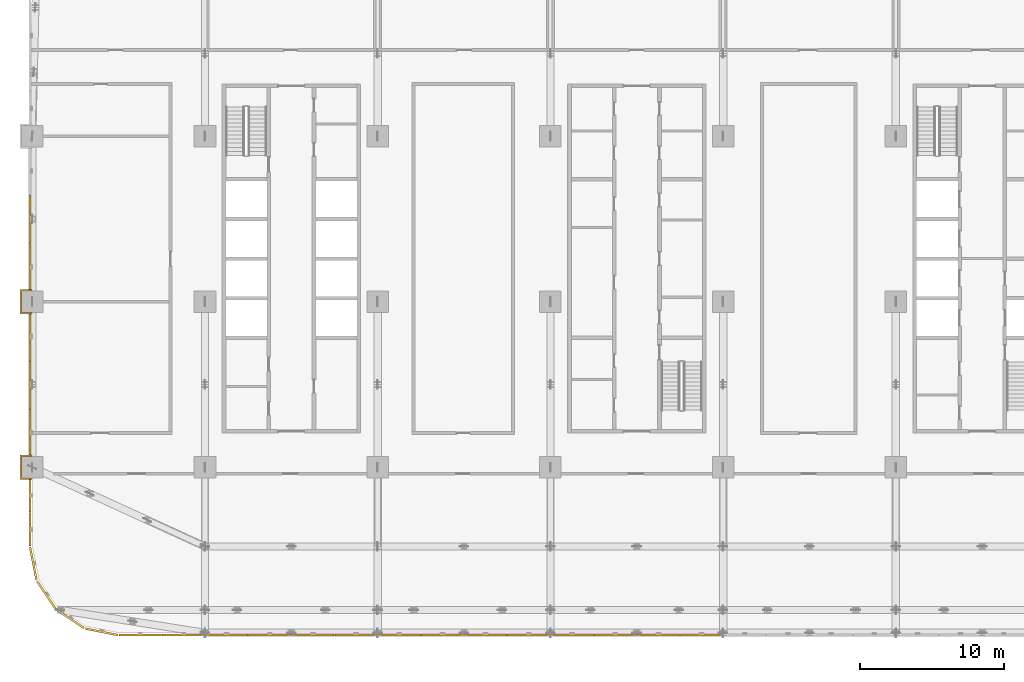
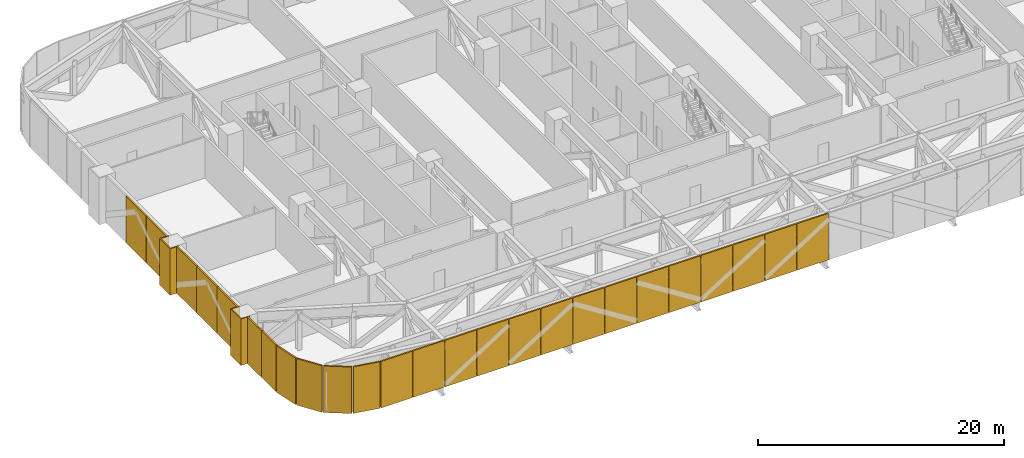
# One storey, part 21 of 26: 27 coverings.
"""IFC4 building model written with IfcOpenShell, lengths in metres."""

from ifc_helpers import new_model, si_unit, direction, frame, origin, origin_2d, place, context, subcontext, project, spatial, polyline, rectangle, outline, extrude, material, layer, layer_set, type_object, element, save


model = new_model("IFC4")

# Units and contexts
model_context = context("Model", 3, precision=1e-05, world=origin(), true_north=direction((0.0, 1.0)))
body_context = subcontext(model_context, "Body", "Model", "MODEL_VIEW")
ifc_project = project(units=[si_unit("LENGTHUNIT", "METRE"), si_unit("AREAUNIT", "SQUARE_METRE"), si_unit("VOLUMEUNIT", "CUBIC_METRE"), si_unit("PLANEANGLEUNIT", "RADIAN"), si_unit("MASSUNIT", "GRAM", prefix="KILO")], contexts=[model_context])

# Site, building, storey
site_placement = place(None, origin())
site = spatial("IfcSite", under=ifc_project, at=site_placement, CompositionType="ELEMENT")
building_placement = place(site_placement, origin())
building = spatial("IfcBuilding", under=site, at=building_placement, Name="Mahtab Terrace Research Tower", CompositionType="ELEMENT")
storey_placement = place(building_placement, frame((0.0, 0.0, 80.39990234375)))
storey = spatial("IfcBuildingStorey", under=building, at=storey_placement, Name="L18", CompositionType="ELEMENT", Elevation=80.39990234375)

# Coverings
ifc_material_1 = material(Name="Dark anodised aluminium cladding", Category="aluminium")
ifc_layer = layer(ifc_material_1, 0.10009765625)
ifc_layer_set = layer_set([ifc_layer], Name="Column casing 100")
covering_type_1 = type_object("IfcCoveringType", Name="Column casing 100", PredefinedType="CLADDING", material=ifc_layer_set)
covering_1_placement = place(storey_placement, frame((0.0, 0.0, -0.5498046875)))
element("IfcCovering", 1, at=covering_1_placement, inside=storey, type_object=covering_type_1, Name="Column casing RC-1A L18", PredefinedType="CLADDING", context=body_context, shape_type="SweptSolid", body=[
    extrude(outline(polyline([(-42.85009765625, -10.64990234375), (-42.0, -10.64990234375), (-42.0, -10.75), (-42.75, -10.75), (-42.75, -12.25), (-42.0, -12.25), (-42.0, -12.35009765625), (-42.85009765625, -12.35009765625), (-42.85009765625, -10.64990234375)])), origin(), (0.0, 0.0, 1.0), 4.60986328125),
])
covering_2_placement = place(storey_placement, frame((0.0, 0.0, -0.5498046875)))
element("IfcCovering", 2, at=covering_2_placement, inside=storey, type_object=covering_type_1, Name="Column casing RC-1B L18", PredefinedType="CLADDING", context=body_context, shape_type="SweptSolid", body=[
    extrude(outline(polyline([(-42.85009765625, 0.85009765625), (-42.0, 0.85009765625), (-42.0, 0.75), (-42.75, 0.75), (-42.75, -0.75), (-42.0, -0.75), (-42.0, -0.85009765625), (-42.85009765625, -0.85009765625), (-42.85009765625, 0.85009765625)])), origin(), (0.0, 0.0, 1.0), 4.60986328125),
])
ifc_material_2 = material(Name="Natural anodised aluminium", Category="aluminium")
covering_type_2 = type_object("IfcCoveringType", Name="Plant storey louvre bay", PredefinedType="CLADDING", material=ifc_material_2)
for number, where, z_axis, x_axis, name in (
    (3, (-42.159912109375, 5.75, -0.5498046875), (0.0, 0.0, 1.0), (0.0, -1.0, 0.0), "Louvre bay L18 44"),
    (4, (-42.159912109375, 2.416748046875, -0.5498046875), (0.0, 0.0, 1.0), (0.0, -1.0, 0.0), "Louvre bay L18 45"),
    (5, (-42.159912109375, -2.416748046875, -0.5498046875), (0.0, 0.0, 1.0), (0.0, -1.0, 0.0), "Louvre bay L18 46"),
    (6, (-42.159912109375, -5.75, -0.5498046875), (0.0, 0.0, 1.0), (0.0, -1.0, 0.0), "Louvre bay L18 47"),
    (7, (-42.159912109375, -9.083251953125, -0.5498046875), (0.0, 0.0, 1.0), (0.0, -1.0, 0.0), "Louvre bay L18 48"),
):
    element("IfcCovering", number, at=place(storey_placement, frame(where, z_axis=z_axis, x_axis=x_axis)), inside=storey, type_object=covering_type_2, Name=name, PredefinedType="CLADDING", context=body_context, shape_type="SweptSolid", body=[
        extrude(rectangle(XDim=3.293212890625, YDim=0.139892578125, at=origin_2d()), origin(), (0.0, 0.0, 1.0), 4.610107421875),
    ])
for number, where, z_axis, x_axis, name in (
    (8, (-42.159912109375, -13.4375, -0.5498046875), (0.0, 0.0, 1.0), (0.0, -1.0, 0.0), "Louvre bay L18 49"),
    (9, (-42.159912109375, -15.8125, -0.5498046875), (0.0, 0.0, 1.0), (0.0, -1.0, 0.0), "Louvre bay L18 50"),
):
    element("IfcCovering", number, at=place(storey_placement, frame(where, z_axis=z_axis, x_axis=x_axis)), inside=storey, type_object=covering_type_2, Name=name, PredefinedType="CLADDING", context=body_context, shape_type="SweptSolid", body=[
        extrude(rectangle(XDim=2.3349609375, YDim=0.139892578125, at=origin_2d()), origin(), (0.0, 0.0, 1.0), 4.610107421875),
    ])
for number, where, z_axis, x_axis, name in (
    (10, (-41.928466796875, -18.17919921875, -0.5498046875), (0.0, 0.0, 1.0), (0.195212442692, -0.980760981187, 0.0), "Louvre bay L18 51"),
    (11, (-41.026123046875, -20.3583984375, -0.5498046875), (0.0, 0.0, 1.0), (0.555291490808, -0.831655794326, 0.0), "Louvre bay L18 52"),
    (12, (-39.3583984375, -22.026123046875, -0.5498046875), (0.0, 0.0, 1.0), (0.831655794326, -0.555291490808, 0.0), "Louvre bay L18 53"),
    (13, (-37.17919921875, -22.928466796875, -0.5498046875), (0.0, 0.0, 1.0), (0.980760981187, -0.195212442692, 0.0), "Louvre bay L18 54"),
):
    element("IfcCovering", number, at=place(storey_placement, frame(where, z_axis=z_axis, x_axis=x_axis)), inside=storey, type_object=covering_type_2, Name=name, PredefinedType="CLADDING", context=body_context, shape_type="SweptSolid", body=[
        extrude(rectangle(XDim=2.301025390625, YDim=0.139892578125, at=origin_2d()), origin(), (0.0, 0.0, 1.0), 4.610107421875),
    ])
for number, where, z_axis, x_axis, name in (
    (14, (-34.5, -23.159912109375, -0.5498046875), (0.0, 0.0, 1.0), (1.0, 0.0, 0.0), "Louvre bay L18 55"),
    (15, (-31.5, -23.159912109375, -0.5498046875), (0.0, 0.0, 1.0), (1.0, 0.0, 0.0), "Louvre bay L18 56"),
    (16, (-28.5, -23.159912109375, -0.5498046875), (0.0, 0.0, 1.0), (1.0, 0.0, 0.0), "Louvre bay L18 57"),
    (17, (-25.5, -23.159912109375, -0.5498046875), (0.0, 0.0, 1.0), (1.0, 0.0, 0.0), "Louvre bay L18 58"),
    (18, (-22.5, -23.159912109375, -0.5498046875), (0.0, 0.0, 1.0), (1.0, 0.0, 0.0), "Louvre bay L18 59"),
    (19, (-19.5, -23.159912109375, -0.5498046875), (0.0, 0.0, 1.0), (1.0, 0.0, 0.0), "Louvre bay L18 60"),
    (20, (-16.5, -23.159912109375, -0.5498046875), (0.0, 0.0, 1.0), (1.0, 0.0, 0.0), "Louvre bay L18 61"),
    (21, (-13.5, -23.159912109375, -0.5498046875), (0.0, 0.0, 1.0), (1.0, 0.0, 0.0), "Louvre bay L18 62"),
    (22, (-10.5, -23.159912109375, -0.5498046875), (0.0, 0.0, 1.0), (1.0, 0.0, 0.0), "Louvre bay L18 63"),
    (23, (-7.5, -23.159912109375, -0.5498046875), (0.0, 0.0, 1.0), (1.0, 0.0, 0.0), "Louvre bay L18 64"),
    (24, (-4.5, -23.159912109375, -0.5498046875), (0.0, 0.0, 1.0), (1.0, 0.0, 0.0), "Louvre bay L18 65"),
    (25, (-1.5, -23.159912109375, -0.5498046875), (0.0, 0.0, 1.0), (1.0, 0.0, 0.0), "Louvre bay L18 66"),
    (26, (1.5, -23.159912109375, -0.5498046875), (0.0, 0.0, 1.0), (1.0, 0.0, 0.0), "Louvre bay L18 67"),
    (27, (4.5, -23.159912109375, -0.5498046875), (0.0, 0.0, 1.0), (1.0, 0.0, 0.0), "Louvre bay L18 68"),
):
    element("IfcCovering", number, at=place(storey_placement, frame(where, z_axis=z_axis, x_axis=x_axis)), inside=storey, type_object=covering_type_2, Name=name, PredefinedType="CLADDING", context=body_context, shape_type="SweptSolid", body=[
        extrude(rectangle(XDim=2.9599609375, YDim=0.139892578125, at=origin_2d()), origin(), (0.0, 0.0, 1.0), 4.610107421875),
    ])

save(model, "model.ifc")
